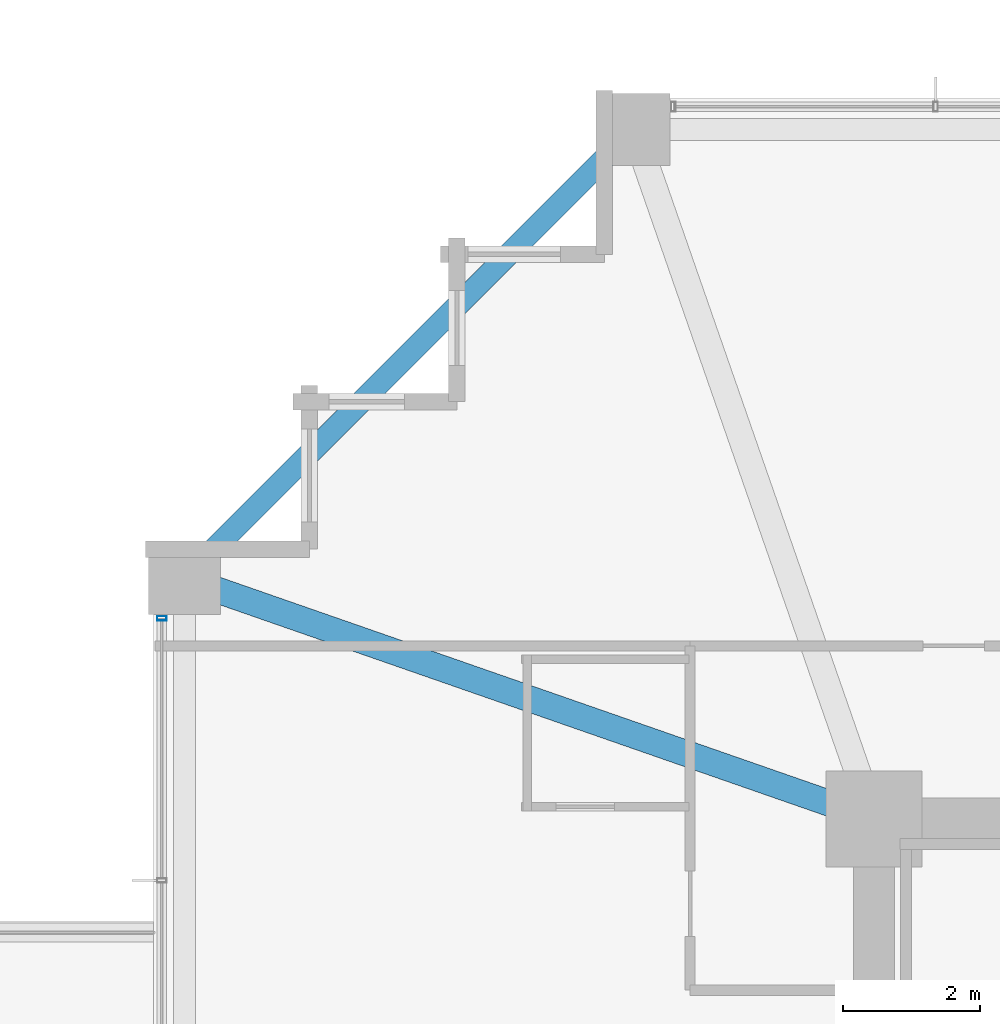
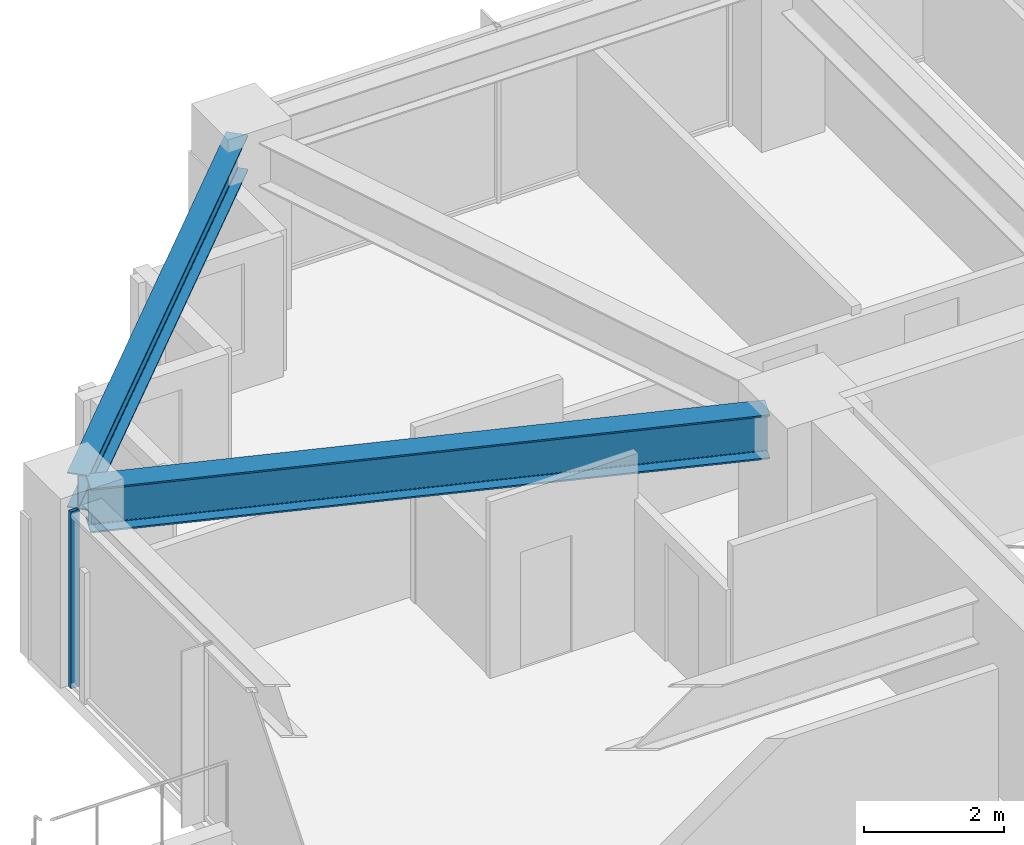
# One storey, part 18 of 37: 2 beams, 1 member, 1 element without a shape of its own.
"""IFC4 building model written with IfcOpenShell, lengths in metres."""

from ifc_helpers import new_model, si_unit, direction, frame, origin, origin_2d, place, context, subcontext, project, spatial, hollow_rectangle, i_section, extrude, material, material_profile, profile_set, type_object, element, aggregate, save


model = new_model("IFC4")

# Units and contexts
model_context = context("Model", 3, precision=1e-05, world=origin(), true_north=direction((0.0, 1.0)))
body_context = subcontext(model_context, "Body", "Model", "MODEL_VIEW")
ifc_project = project(units=[si_unit("LENGTHUNIT", "METRE"), si_unit("AREAUNIT", "SQUARE_METRE"), si_unit("VOLUMEUNIT", "CUBIC_METRE"), si_unit("PLANEANGLEUNIT", "RADIAN"), si_unit("MASSUNIT", "GRAM", prefix="KILO")], contexts=[model_context])

# Site, building, storey
site_placement = place(None, origin())
site = spatial("IfcSite", under=ifc_project, at=site_placement, CompositionType="ELEMENT")
building_placement = place(site_placement, origin())
building = spatial("IfcBuilding", under=site, at=building_placement, Name="Kolvaren Belvedere", CompositionType="ELEMENT")
storey_placement = place(building_placement, frame((0.0, 0.0, 82.10009765625)))
storey = spatial("IfcBuildingStorey", under=building, at=storey_placement, Name="L23", CompositionType="ELEMENT", Elevation=82.10009765625)

# Beams
ifc_material_1 = material(Name="Structural steel ASTM A992 Grade 50", Category="steel")
ifc_material_profile_1 = material_profile(ifc_material_1, i_section(OverallWidth=0.381103515625, OverallDepth=0.77294921875, WebThickness=0.0166015625, FlangeThickness=0.027099609375, FilletRadius=0.02392578125, at=origin_2d()), Name="W30X173")
ifc_profile_set_1 = profile_set([ifc_material_profile_1], Name="Structural steel ASTM A992 Grade 50")
beam_type_1 = type_object("IfcBeamType", Name="BM-GIRD-W30X173", PredefinedType="BEAM", material=ifc_profile_set_1)
beam_1_placement = place(storey_placement, frame((-10.41943359375, 10.080810546875, 2.693359375), z_axis=(-0.944371408538, 0.328880894453, 0.0), x_axis=(-0.328880894453, -0.944371408538, 0.0)))
element("IfcBeam", 1, at=beam_1_placement, inside=storey, type_object=beam_type_1, Name="L23 Corner Core-to-Perimeter Girder CC4-W4", PredefinedType="BEAM", context=body_context, shape_type="SweptSolid", body=[
    extrude(i_section(OverallWidth=0.381103515625, OverallDepth=0.77294921875, WebThickness=0.0166015625, FlangeThickness=0.027099609375, FilletRadius=0.02392578125, at=origin_2d()), origin(), (0.0, 0.0, 1.0), 9.882080078125),
])
ifc_material_2 = material(Name="Structural steel ASTM A992 Grade 50", Category="steel")
ifc_material_profile_2 = material_profile(ifc_material_2, i_section(OverallWidth=0.324951171875, OverallDepth=0.615966796875, WebThickness=0.013916015625, FlangeThickness=0.021484375, FilletRadius=0.02001953125, at=origin_2d()), Name="W24X117")
ifc_profile_set_2 = profile_set([ifc_material_profile_2], Name="Structural steel ASTM A992 Grade 50")
beam_type_2 = type_object("IfcBeamType", Name="BM-SPAN-W24X117", PredefinedType="SPANDREL", material=ifc_profile_set_2)
beam_2_placement = place(storey_placement, frame((-13.567138671875, 19.782958984375, 2.77197265625), z_axis=(-0.707106781187, -0.707106781187, 0.0), x_axis=(0.707106781187, -0.707106781187, 0.0)))
element("IfcBeam", 2, at=beam_2_placement, inside=storey, type_object=beam_type_2, Name="L23 Perimeter Spandrel N1-W4", PredefinedType="SPANDREL", context=body_context, shape_type="SweptSolid", body=[
    extrude(i_section(OverallWidth=0.324951171875, OverallDepth=0.615966796875, WebThickness=0.013916015625, FlangeThickness=0.021484375, FilletRadius=0.02001953125, at=origin_2d()), origin(), (0.0, 0.0, 1.0), 8.79052734375),
])

# Curtain wall, member
ifc_material_3 = material(Name="Anodised pale-metal aluminium AA 6063-T6", Category="aluminium")
curtain_wall_type = type_object("IfcCurtainWallType", Name="CW-Z2-MID", PredefinedType="NOTDEFINED", material=ifc_material_3)
curtain_wall_placement = place(storey_placement, origin())
curtain_wall = element("IfcCurtainWall", 3, at=curtain_wall_placement, inside=storey, type_object=curtain_wall_type, Name="L23 Unitised Curtain Wall FCW-L23-W2-B2", PredefinedType="NOTDEFINED")
ifc_material_4 = material(Name="Anodised pale-metal aluminium AA 6063-T6", Category="aluminium")
ifc_material_profile_3 = material_profile(ifc_material_4, hollow_rectangle(XDim=0.06494140625, YDim=0.139892578125, WallThickness=0.00390625, at=origin_2d()), Name="ALU-MUL-140X65")
ifc_profile_set_3 = profile_set([ifc_material_profile_3], Name="Anodised pale-metal aluminium AA 6063-T6")
member_type = type_object("IfcMemberType", Name="CW-MUL-140", PredefinedType="MULLION", material=ifc_profile_set_3)
member_placement = place(storey_placement, frame((-20.280029296875, 12.822509765625, 0.0), z_axis=(0.0, 0.0, 1.0), x_axis=(0.0, 1.0, 0.0)))
member = element("IfcMember", 4, at=member_placement, type_object=member_type, Name="FCW-L23-W2-B2 Unitised Mullion 3", PredefinedType="MULLION", context=body_context, shape_type="SweptSolid", body=[
    extrude(hollow_rectangle(XDim=0.06494140625, YDim=0.139892578125, WallThickness=0.00390625, at=origin_2d()), origin(), (0.0, 0.0, 1.0), 3.079833984375),
])
aggregate(curtain_wall, [member])

save(model, "model.ifc")
